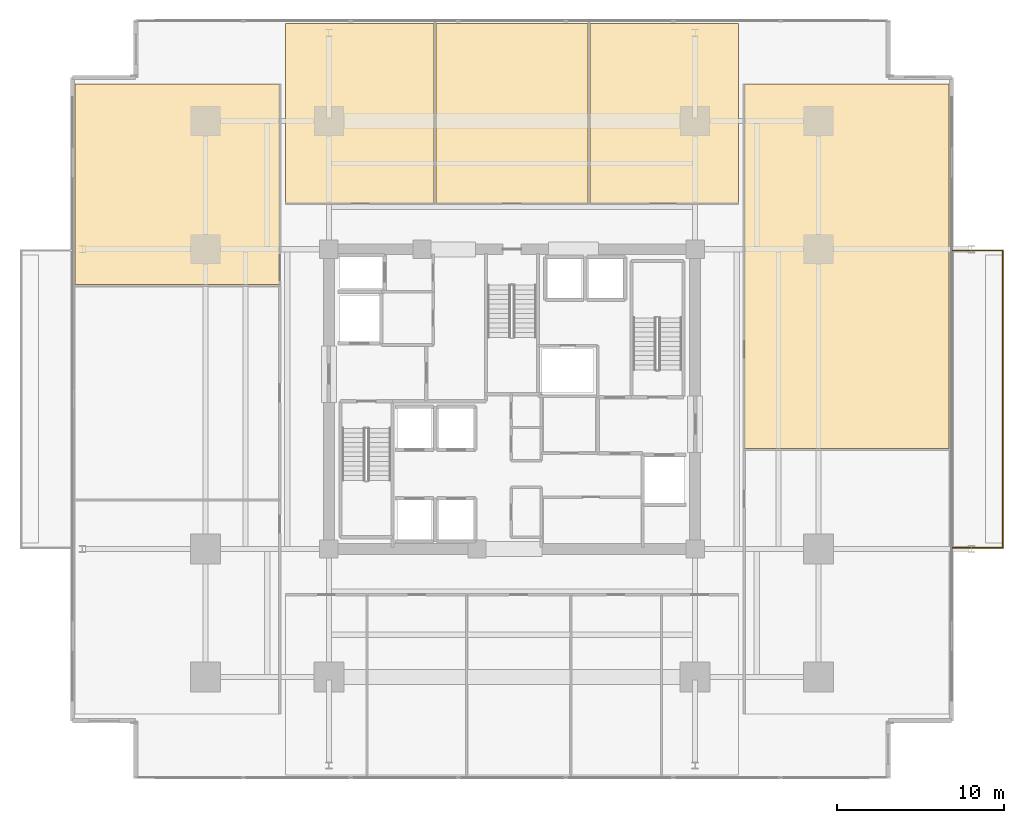
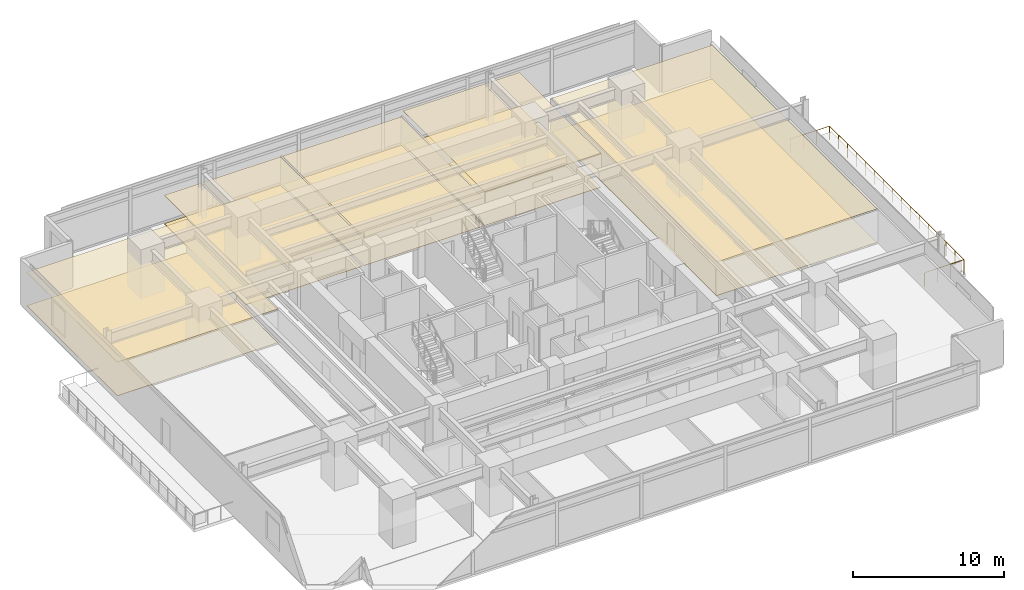
# One storey, part 23 of 23: 10 coverings, 1 railing.
"""IFC4 building model written with IfcOpenShell, lengths in metres."""

from ifc_helpers import new_model, si_unit, direction, frame, origin, origin_2d, place, context, subcontext, project, spatial, polyline, circle, outline, extrude, material, layer, layer_set, type_object, element, save


model = new_model("IFC4")

# Units and contexts
model_context = context("Model", 3, precision=1e-05, world=origin(), true_north=direction((0.0, 1.0)))
body_context = subcontext(model_context, "Body", "Model", "MODEL_VIEW")
ifc_project = project(units=[si_unit("LENGTHUNIT", "METRE"), si_unit("AREAUNIT", "SQUARE_METRE"), si_unit("VOLUMEUNIT", "CUBIC_METRE"), si_unit("PLANEANGLEUNIT", "RADIAN"), si_unit("MASSUNIT", "GRAM", prefix="KILO")], contexts=[model_context])

# Site, building, storey
site_placement = place(None, origin())
site = spatial("IfcSite", under=ifc_project, at=site_placement, CompositionType="ELEMENT")
building_placement = place(site_placement, origin())
building = spatial("IfcBuilding", under=site, at=building_placement, Name="Kovane Verandah Tower", CompositionType="ELEMENT")
storey_placement = place(building_placement, frame((0.0, 0.0, 103.60009765625)))
storey = spatial("IfcBuildingStorey", under=building, at=storey_placement, Name="L24", CompositionType="ELEMENT", Elevation=103.60009765625)

# Coverings
ifc_material_1 = material(Name="Perforated Acoustic Mineral-Fibre Ceiling Tile", Category="gypsum")
ifc_layer_1 = layer(ifc_material_1, 0.02490234375)
ifc_layer_set_1 = layer_set([ifc_layer_1], Name="Perforated Acoustic Mineral-Fibre Ceiling Tile")
covering_type_1 = type_object("IfcCoveringType", Name="CV-CEIL-25", PredefinedType="CEILING", material=ifc_layer_set_1)
covering_1_placement = place(storey_placement, frame((0.0, 0.0, 2.304931640625)))
element("IfcCovering", 1, at=covering_1_placement, inside=storey, type_object=covering_type_1, Name="L24 Open Plan Office N1 Acoustic Ceiling", PredefinedType="CEILING", context=body_context, shape_type="SweptSolid", body=[
    extrude(outline(polyline([(26.39990234375, 39.25), (35.305908203125, 39.25), (35.305908203125, 50.069091796875), (26.39990234375, 50.069091796875), (26.39990234375, 39.25)])), origin(), (0.0, 0.0, 1.0), 0.02490234375),
])
covering_2_placement = place(storey_placement, frame((0.0, 0.0, 2.304931640625)))
element("IfcCovering", 2, at=covering_2_placement, inside=storey, type_object=covering_type_1, Name="L24 Executive Office N2 Acoustic Ceiling", PredefinedType="CEILING", context=body_context, shape_type="SweptSolid", body=[
    extrude(outline(polyline([(35.446044921875, 39.25), (44.553955078125, 39.25), (44.553955078125, 50.069091796875), (35.446044921875, 50.069091796875), (35.446044921875, 39.25)])), origin(), (0.0, 0.0, 1.0), 0.02490234375),
])
covering_3_placement = place(storey_placement, frame((0.0, 0.0, 2.728271484375)))
element("IfcCovering", 3, at=covering_3_placement, inside=storey, type_object=covering_type_1, Name="L24 Client Boardroom N3 Acoustic Ceiling", PredefinedType="CEILING", context=body_context, shape_type="SweptSolid", body=[
    extrude(outline(polyline([(44.694091796875, 39.25), (53.60009765625, 39.25), (53.60009765625, 50.069091796875), (44.694091796875, 50.069091796875), (44.694091796875, 39.25)])), origin(), (0.0, 0.0, 1.0), 0.025146484375),
])
covering_4_placement = place(storey_placement, frame((0.0, 0.0, 2.728271484375)))
element("IfcCovering", 4, at=covering_4_placement, inside=storey, type_object=covering_type_1, Name="L24 Client Boardroom W3 Acoustic Ceiling", PredefinedType="CEILING", context=body_context, shape_type="SweptSolid", body=[
    extrude(outline(polyline([(13.75146484375, 34.380859375), (26.050048828125, 34.380859375), (26.050048828125, 46.4189453125), (13.75146484375, 46.4189453125), (13.75146484375, 34.380859375)])), origin(), (0.0, 0.0, 1.0), 0.025146484375),
])
covering_5_placement = place(storey_placement, frame((0.0, 0.0, 2.728271484375)))
element("IfcCovering", 5, at=covering_5_placement, inside=storey, type_object=covering_type_1, Name="L24 Focus Studio E2 Acoustic Ceiling", PredefinedType="CEILING", context=body_context, shape_type="SweptSolid", body=[
    extrude(outline(polyline([(53.949951171875, 24.54296875), (66.24853515625, 24.54296875), (66.24853515625, 46.4189453125), (53.949951171875, 46.4189453125), (53.949951171875, 24.54296875)])), origin(), (0.0, 0.0, 1.0), 0.025146484375),
])
ifc_material_2 = material(Name="Polished Terrazzo and Raised-Access Carpet Tile Finish", Category="concrete")
ifc_layer_2 = layer(ifc_material_2, 0.030029296875)
ifc_layer_set_2 = layer_set([ifc_layer_2], Name="Polished Terrazzo and Raised-Access Carpet Tile Finish")
covering_type_2 = type_object("IfcCoveringType", Name="CV-FLOR-30", PredefinedType="FLOORING", material=ifc_layer_set_2)
covering_6_placement = place(storey_placement, origin())
element("IfcCovering", 6, at=covering_6_placement, inside=storey, type_object=covering_type_2, Name="L24 Open Plan Office N1 Floor Finish", PredefinedType="FLOORING", context=body_context, shape_type="SweptSolid", body=[
    extrude(outline(polyline([(26.39990234375, 39.25), (35.305908203125, 39.25), (35.305908203125, 50.069091796875), (26.39990234375, 50.069091796875), (26.39990234375, 39.25)])), origin(), (0.0, 0.0, 1.0), 0.02978515625),
])
covering_7_placement = place(storey_placement, origin())
element("IfcCovering", 7, at=covering_7_placement, inside=storey, type_object=covering_type_2, Name="L24 Executive Office N2 Floor Finish", PredefinedType="FLOORING", context=body_context, shape_type="SweptSolid", body=[
    extrude(outline(polyline([(35.446044921875, 39.25), (44.553955078125, 39.25), (44.553955078125, 50.069091796875), (35.446044921875, 50.069091796875), (35.446044921875, 39.25)])), origin(), (0.0, 0.0, 1.0), 0.02978515625),
])
covering_8_placement = place(storey_placement, origin())
element("IfcCovering", 8, at=covering_8_placement, inside=storey, type_object=covering_type_2, Name="L24 Client Boardroom N3 Floor Finish", PredefinedType="FLOORING", context=body_context, shape_type="SweptSolid", body=[
    extrude(outline(polyline([(44.694091796875, 39.25), (53.60009765625, 39.25), (53.60009765625, 50.069091796875), (44.694091796875, 50.069091796875), (44.694091796875, 39.25)])), origin(), (0.0, 0.0, 1.0), 0.02978515625),
])
covering_9_placement = place(storey_placement, origin())
element("IfcCovering", 9, at=covering_9_placement, inside=storey, type_object=covering_type_2, Name="L24 Client Boardroom W3 Floor Finish", PredefinedType="FLOORING", context=body_context, shape_type="SweptSolid", body=[
    extrude(outline(polyline([(13.75146484375, 34.380859375), (26.050048828125, 34.380859375), (26.050048828125, 46.4189453125), (13.75146484375, 46.4189453125), (13.75146484375, 34.380859375)])), origin(), (0.0, 0.0, 1.0), 0.02978515625),
])
covering_10_placement = place(storey_placement, origin())
element("IfcCovering", 10, at=covering_10_placement, inside=storey, type_object=covering_type_2, Name="L24 Focus Studio E2 Floor Finish", PredefinedType="FLOORING", context=body_context, shape_type="SweptSolid", body=[
    extrude(outline(polyline([(53.949951171875, 24.54296875), (66.24853515625, 24.54296875), (66.24853515625, 46.4189453125), (53.949951171875, 46.4189453125), (53.949951171875, 24.54296875)])), origin(), (0.0, 0.0, 1.0), 0.02978515625),
])

# Railing
ifc_material_3 = material(Name="Laminated Glass and Pale-Champagne Stainless Balustrade", Category="glass")
railing_type = type_object("IfcRailingType", Name="RL-BAL-1150", PredefinedType="BALUSTRADE", material=ifc_material_3)
railing_placement = place(storey_placement, frame((66.448486328125, 18.580078125, 0.0)))
element("IfcRailing", 11, at=railing_placement, inside=storey, type_object=railing_type, Name="L24 E Verandah Glass Balustrade", PredefinedType="BALUSTRADE", context=body_context, shape_type="SweptSolid", body=[
    extrude(circle(Radius=0.02392578125, at=origin_2d()), frame((0.0, 0.0, 1.1259765625), z_axis=(1.0, 0.0, 0.0), x_axis=(0.0, 1.0, 0.0)), (0.0, 0.0, 1.0), 3.02001953125),
    extrude(circle(Radius=0.02392578125, at=origin_2d()), frame((3.02001953125, 0.0, 1.1259765625), z_axis=(0.0, 1.0, 0.0), x_axis=(-1.0, 0.0, 0.0)), (0.0, 0.0, 1.0), 17.83984375),
    extrude(circle(Radius=0.02392578125, at=origin_2d()), frame((3.02001953125, 17.83984375, 1.1259765625), z_axis=(-1.0, 0.0, 0.0), x_axis=(0.0, -1.0, 0.0)), (0.0, 0.0, 1.0), 3.02001953125),
    extrude(circle(Radius=0.02099609375, at=origin_2d()), origin(), (0.0, 0.0, 1.0), 1.101806640625),
    extrude(circle(Radius=0.02099609375, at=origin_2d()), frame((1.006591796875, 0.0, 0.0)), (0.0, 0.0, 1.0), 1.101806640625),
    extrude(circle(Radius=0.02099609375, at=origin_2d()), frame((2.013427734375, 0.0, 0.0)), (0.0, 0.0, 1.0), 1.101806640625),
    extrude(circle(Radius=0.02099609375, at=origin_2d()), frame((3.02001953125, 0.0, 0.0)), (0.0, 0.0, 1.0), 1.101806640625),
    extrude(circle(Radius=0.02099609375, at=origin_2d()), frame((3.02001953125, 1.189208984375, 0.0)), (0.0, 0.0, 1.0), 1.101806640625),
    extrude(circle(Radius=0.02099609375, at=origin_2d()), frame((3.02001953125, 2.378662109375, 0.0)), (0.0, 0.0, 1.0), 1.101806640625),
    extrude(circle(Radius=0.02099609375, at=origin_2d()), frame((3.02001953125, 3.56787109375, 0.0)), (0.0, 0.0, 1.0), 1.101806640625),
    extrude(circle(Radius=0.02099609375, at=origin_2d()), frame((3.02001953125, 4.75732421875, 0.0)), (0.0, 0.0, 1.0), 1.101806640625),
    extrude(circle(Radius=0.02099609375, at=origin_2d()), frame((3.02001953125, 5.946533203125, 0.0)), (0.0, 0.0, 1.0), 1.101806640625),
    extrude(circle(Radius=0.02099609375, at=origin_2d()), frame((3.02001953125, 7.135986328125, 0.0)), (0.0, 0.0, 1.0), 1.101806640625),
    extrude(circle(Radius=0.02099609375, at=origin_2d()), frame((3.02001953125, 8.3251953125, 0.0)), (0.0, 0.0, 1.0), 1.101806640625),
    extrude(circle(Radius=0.02099609375, at=origin_2d()), frame((3.02001953125, 9.5146484375, 0.0)), (0.0, 0.0, 1.0), 1.101806640625),
    extrude(circle(Radius=0.02099609375, at=origin_2d()), frame((3.02001953125, 10.703857421875, 0.0)), (0.0, 0.0, 1.0), 1.101806640625),
    extrude(circle(Radius=0.02099609375, at=origin_2d()), frame((3.02001953125, 11.893310546875, 0.0)), (0.0, 0.0, 1.0), 1.101806640625),
    extrude(circle(Radius=0.02099609375, at=origin_2d()), frame((3.02001953125, 13.08251953125, 0.0)), (0.0, 0.0, 1.0), 1.101806640625),
    extrude(circle(Radius=0.02099609375, at=origin_2d()), frame((3.02001953125, 14.27197265625, 0.0)), (0.0, 0.0, 1.0), 1.101806640625),
    extrude(circle(Radius=0.02099609375, at=origin_2d()), frame((3.02001953125, 15.461181640625, 0.0)), (0.0, 0.0, 1.0), 1.101806640625),
    extrude(circle(Radius=0.02099609375, at=origin_2d()), frame((3.02001953125, 16.650634765625, 0.0)), (0.0, 0.0, 1.0), 1.101806640625),
    extrude(circle(Radius=0.02099609375, at=origin_2d()), frame((3.02001953125, 17.83984375, 0.0)), (0.0, 0.0, 1.0), 1.101806640625),
    extrude(circle(Radius=0.02099609375, at=origin_2d()), frame((2.013427734375, 17.83984375, 0.0)), (0.0, 0.0, 1.0), 1.101806640625),
    extrude(circle(Radius=0.02099609375, at=origin_2d()), frame((1.006591796875, 17.83984375, 0.0)), (0.0, 0.0, 1.0), 1.101806640625),
    extrude(circle(Radius=0.02099609375, at=origin_2d()), frame((0.0, 17.83984375, 0.0)), (0.0, 0.0, 1.0), 1.101806640625),
])

save(model, "model.ifc")
